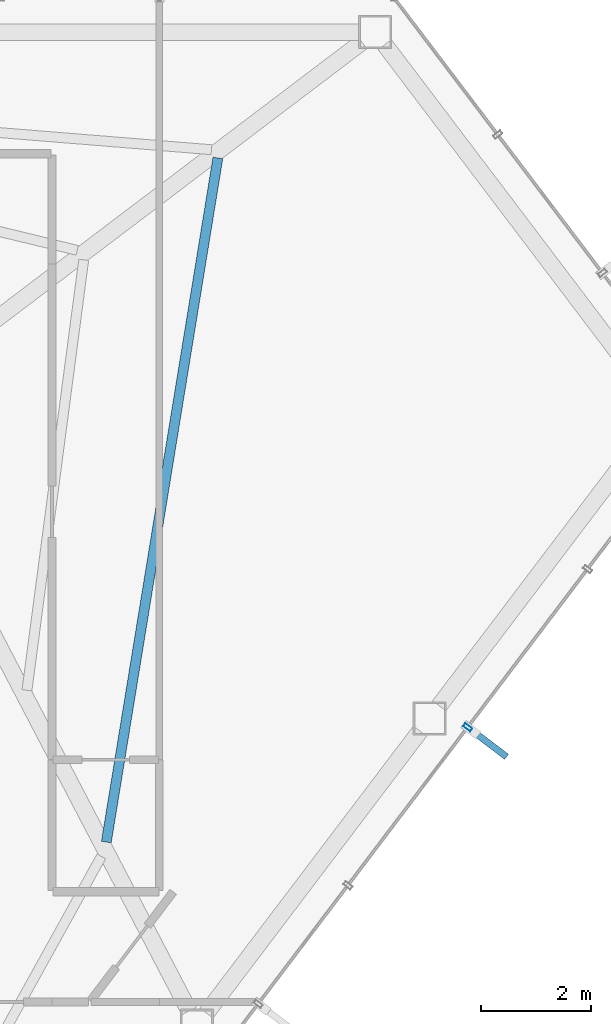
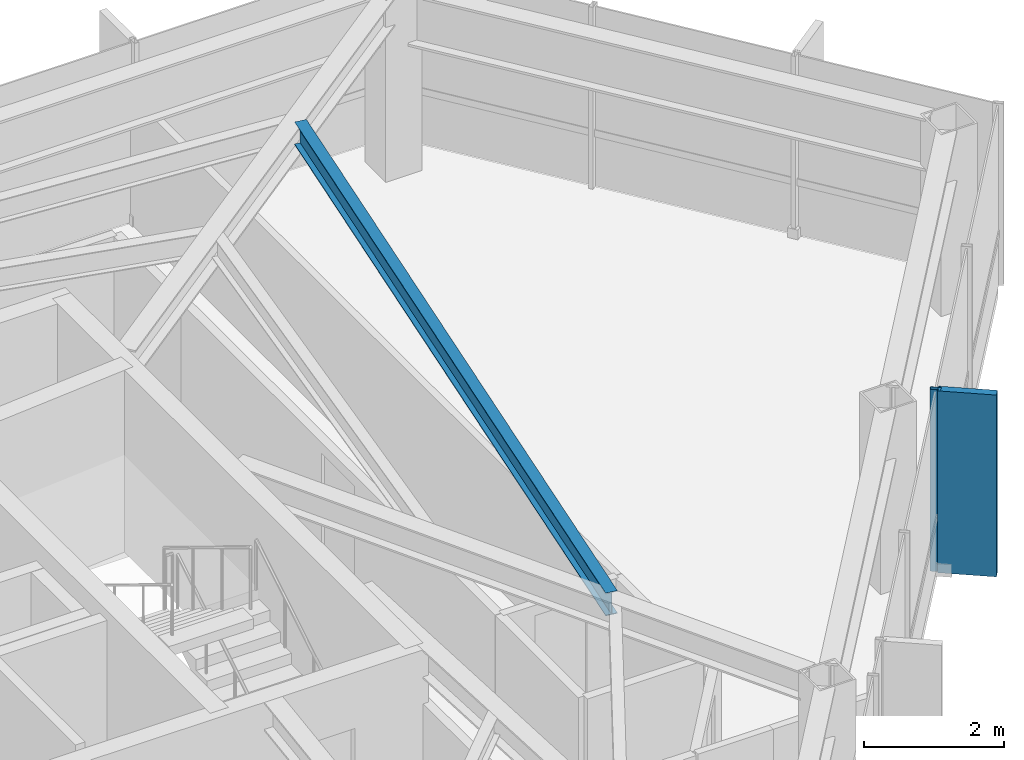
# One storey, part 17 of 25: 2 members, 1 beam, 1 element without a shape of its own.
"""IFC4 building model written with IfcOpenShell, lengths in metres."""

from ifc_helpers import new_model, si_unit, direction, frame, origin, origin_2d, place, context, subcontext, project, spatial, rectangle, hollow_rectangle, i_section, extrude, material, layer, layer_set, material_profile, profile_set, type_object, element, aggregate, save


model = new_model("IFC4")

# Units and contexts
model_context = context("Model", 3, precision=1e-05, world=origin(), true_north=direction((0.0, 1.0)))
body_context = subcontext(model_context, "Body", "Model", "MODEL_VIEW")
ifc_project = project(units=[si_unit("LENGTHUNIT", "METRE"), si_unit("AREAUNIT", "SQUARE_METRE"), si_unit("VOLUMEUNIT", "CUBIC_METRE"), si_unit("PLANEANGLEUNIT", "RADIAN"), si_unit("MASSUNIT", "GRAM", prefix="KILO")], contexts=[model_context])

# Site, building, storey
site_placement = place(None, origin())
site = spatial("IfcSite", under=ifc_project, at=site_placement, CompositionType="ELEMENT")
building_placement = place(site_placement, origin())
building = spatial("IfcBuilding", under=site, at=building_placement, Name="Zarrinselat Tower", CompositionType="ELEMENT")
storey_placement = place(building_placement, frame((0.0, 0.0, 212.159912109375)))
storey = spatial("IfcBuildingStorey", under=building, at=storey_placement, Name="L52", CompositionType="ELEMENT", Elevation=212.159912109375)

# Beam
ifc_material_1 = material(Name="Steel S355J2", Category="steel")
ifc_material_profile_1 = material_profile(ifc_material_1, i_section(OverallWidth=0.179931640625, OverallDepth=0.39990234375, WebThickness=0.008544921875, FlangeThickness=0.013427734375, at=origin_2d()), Name="IPE 400")
ifc_profile_set_1 = profile_set([ifc_material_profile_1], Name="Steel S355J2")
beam_type = type_object("IfcBeamType", Name="BM-IPE400", PredefinedType="JOIST", material=ifc_profile_set_1)
beam_placement = place(storey_placement, frame((51.335693359375, 33.053466796875, 2.97998046875), z_axis=(0.160956842777, 0.986961445429, 0.0), x_axis=(-0.986961445429, 0.160956842777, 0.0)))
element("IfcBeam", 1, at=beam_placement, inside=storey, type_object=beam_type, Name="L52 Composite Floor Joist 5-1", PredefinedType="JOIST", context=body_context, shape_type="SweptSolid", body=[
    extrude(i_section(OverallWidth=0.179931640625, OverallDepth=0.39990234375, WebThickness=0.008544921875, FlangeThickness=0.013427734375, at=origin_2d()), origin(), (0.0, 0.0, 1.0), 12.58642578125),
])

# Curtain wall, members
ifc_material_2 = material(Name="Extruded Aluminium Alloy EN AW-6063 T6", Category="aluminium")
ifc_layer = layer(ifc_material_2, 0.169921875)
ifc_layer_set = layer_set([ifc_layer], Name="Extruded Aluminium Alloy EN AW-6063 T6")
curtain_wall_type = type_object("IfcCurtainWallType", Name="CWS-RES", PredefinedType="NOTDEFINED", material=ifc_layer_set)
curtain_wall_placement = place(storey_placement, origin())
curtain_wall = element("IfcCurtainWall", 2, at=curtain_wall_placement, inside=storey, type_object=curtain_wall_type, Name="L52 Unitised Curtain Wall CW-L52-E05", PredefinedType="NOTDEFINED")
ifc_material_3 = material(Name="Extruded Aluminium Alloy EN AW-6063 T6", Category="aluminium")
ifc_material_profile_2 = material_profile(ifc_material_3, hollow_rectangle(XDim=0.070068359375, YDim=0.159912109375, WallThickness=0.00390625, at=origin_2d()), Name="RHS 160x70x4")
ifc_profile_set_2 = profile_set([ifc_material_profile_2], Name="Extruded Aluminium Alloy EN AW-6063 T6")
member_type_1 = type_object("IfcMemberType", Name="MEM-CW-MUL2", PredefinedType="MULLION", material=ifc_profile_set_2)
member_1_placement = place(storey_placement, frame((57.898681640625, 35.1357421875, 0.0), z_axis=(0.0, 0.0, 1.0), x_axis=(0.603859492128, 0.797090781384, 0.0)))
member_1 = element("IfcMember", 3, at=member_1_placement, type_object=member_type_1, Name="CW-L52-E05 Mullion 7", PredefinedType="MULLION", context=body_context, shape_type="SweptSolid", body=[
    extrude(hollow_rectangle(XDim=0.070068359375, YDim=0.159912109375, WallThickness=0.00390625, at=origin_2d()), origin(), (0.0, 0.0, 1.0), 3.18017578125),
])
ifc_material_4 = material(Name="Honed Cream Travertine Stone", Category="masonry")
ifc_material_profile_3 = material_profile(ifc_material_4, rectangle(XDim=0.1201171875, YDim=0.85009765625, at=origin_2d()), Name="FIN 850x120")
ifc_profile_set_3 = profile_set([ifc_material_profile_3], Name="Honed Cream Travertine Stone")
member_type_2 = type_object("IfcMemberType", Name="MEM-STONE-FIN", PredefinedType="USERDEFINED", material=ifc_profile_set_3)
member_2_placement = place(storey_placement, frame((58.265380859375, 34.85791015625, 0.0), z_axis=(0.0, 0.0, 1.0), x_axis=(-0.603859492128, -0.797090781384, 0.0)))
member_2 = element("IfcMember", 4, at=member_2_placement, type_object=member_type_2, Name="L52 Stone Shading Fin CW-L52-E05-07", ObjectType="FIN", PredefinedType="USERDEFINED", context=body_context, shape_type="SweptSolid", body=[
    extrude(rectangle(XDim=0.1201171875, YDim=0.85009765625, at=origin_2d()), origin(), (0.0, 0.0, 1.0), 3.18017578125),
])
aggregate(curtain_wall, [member_1, member_2])

save(model, "model.ifc")
